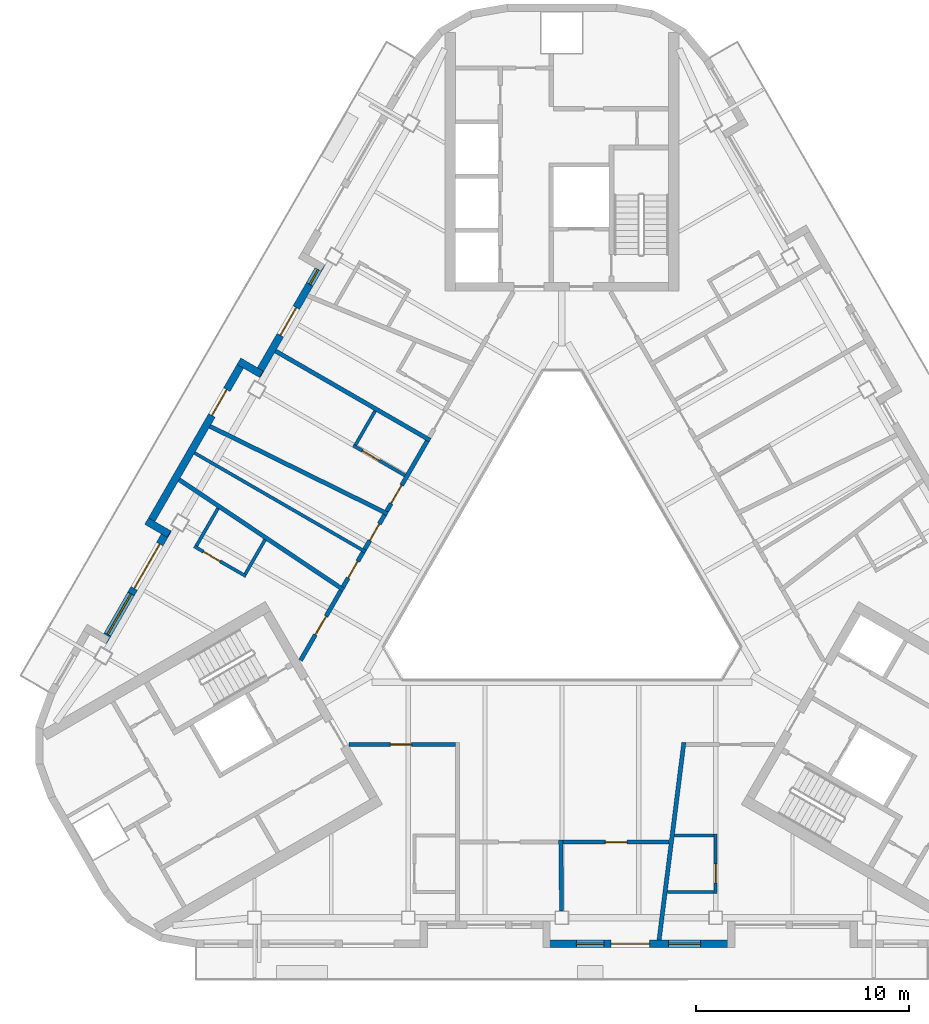
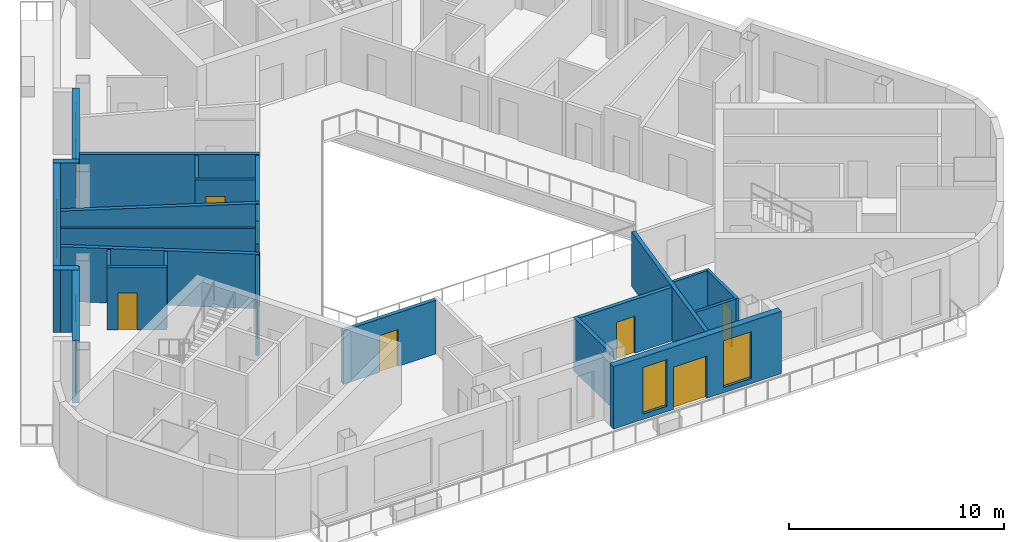
# One storey, part 4 of 13: 26 walls, 13 doors, 4 windows, 17 openings.
"""IFC4 building model written with IfcOpenShell, lengths in metres."""

import ifcopenshell
import ifcopenshell.guid

model = None  # the IFC model being written
_history = None  # IfcOwnerHistory: only IFC2X3 demands one
_inside = {}  # id of a spatial element -> (the spatial element, [elements in it])
_under = {}  # id of a project, library or spatial element -> (it, [spatial elements below it])
_declared = {}  # id of a project -> (the project, [libraries it declares])
_typed = {}  # id of a type object -> (the type object, [elements of that type])
_made_of = {}  # id of a material, layer set ... -> (it, [elements and type objects made of it])


def new_model(schema):
    """Start an empty IFC model of exactly this schema.

    Asked for "IFC4X3", IfcOpenShell would pick the latest addendum, in which some entities
    have other attributes; the version numbers below select the first issue.
    IFC2X3 requires an IfcOwnerHistory on every rooted entity: one is made here for all.
    """
    global model, _history
    if schema == "IFC4X3":
        model = ifcopenshell.file(schema_version=(4, 3, 0, 0))
    else:
        model = ifcopenshell.file(schema=schema)
    _inside.clear()
    _under.clear()
    _declared.clear()
    _typed.clear()
    _made_of.clear()
    _history = None
    if model.schema == "IFC2X3":
        org = make("IfcOrganization", Name="unknown")
        user = make(
            "IfcPersonAndOrganization",
            ThePerson=make("IfcPerson", FamilyName="unknown"),
            TheOrganization=org,
        )
        app = make(
            "IfcApplication",
            ApplicationDeveloper=org,
            Version="unknown",
            ApplicationFullName="unknown",
            ApplicationIdentifier="unknown",
        )
        _history = make(
            "IfcOwnerHistory",
            OwningUser=user,
            OwningApplication=app,
            ChangeAction="ADDED",
            CreationDate=0,
        )
    return model


def make(cls, **values):
    """One entity of the class cls with the attributes given. An attribute that is None is left unset."""
    return model.create_entity(
        cls, **{name: value for name, value in values.items() if value is not None}
    )


def rooted(cls, **values):
    """An entity with a GlobalId (a new one), such as an element, a storey or a relation."""
    return make(cls, GlobalId=ifcopenshell.guid.new(), OwnerHistory=_history, **values)


def si_unit(unit_type, name, prefix=None):
    """IfcSIUnit, for example si_unit("LENGTHUNIT", "METRE", prefix="MILLI")."""
    return make("IfcSIUnit", UnitType=unit_type, Prefix=prefix, Name=name)


def assignment(units):
    """IfcUnitAssignment: the units of a project."""
    return None if units is None else make("IfcUnitAssignment", Units=units)


def point(xyz):
    """IfcCartesianPoint."""
    return None if xyz is None else make("IfcCartesianPoint", Coordinates=xyz)


def direction(xyz):
    """IfcDirection."""
    return None if xyz is None else make("IfcDirection", DirectionRatios=xyz)


def frame(location, z_axis=None, x_axis=None):
    """IfcAxis2Placement3D, a coordinate frame: its origin and axes. An axis left out is left unset."""
    return make(
        "IfcAxis2Placement3D",
        Location=point(location),
        Axis=direction(z_axis),
        RefDirection=direction(x_axis),
    )


def frame_2d(location, x_axis=None):
    """IfcAxis2Placement2D, a coordinate frame in the plane: its origin and x axis."""
    return make(
        "IfcAxis2Placement2D", Location=point(location), RefDirection=direction(x_axis)
    )


def origin():
    """The frame at (0, 0, 0) with its axes left unset."""
    return frame((0.0, 0.0, 0.0))


def place(relative_to, where):
    """IfcLocalPlacement: puts the frame where relative to a parent placement (None: the world)."""
    return make(
        "IfcLocalPlacement", PlacementRelTo=relative_to, RelativePlacement=where
    )


def context(
    kind, dimensions, precision=None, world=None, true_north=None, identifier=None
):
    """IfcGeometricRepresentationContext, for example the 3D "Model" context."""
    return make(
        "IfcGeometricRepresentationContext",
        ContextIdentifier=identifier,
        ContextType=kind,
        CoordinateSpaceDimension=dimensions,
        Precision=precision,
        WorldCoordinateSystem=world,
        TrueNorth=true_north,
    )


def subcontext(parent, identifier, kind, view, scale=None):
    """IfcGeometricRepresentationSubContext, for example "Body" below "Model"."""
    return make(
        "IfcGeometricRepresentationSubContext",
        ContextIdentifier=identifier,
        ContextType=kind,
        ParentContext=parent,
        TargetScale=scale,
        TargetView=view,
    )


def project(units=None, contexts=None):
    """IfcProject with its units and contexts."""
    return rooted(
        "IfcProject",
        Name="project",
        RepresentationContexts=contexts,
        UnitsInContext=assignment(units),
    )


def spatial(cls, under=None, at=None, **own):
    """A site, building, storey or space (cls), placed at a placement, below another one or the project."""
    s = rooted(cls, ObjectPlacement=at, **own)
    if under is not None:
        _under.setdefault(under.id(), (under, []))[1].append(s)
    return s


def profile(cls, at=None, kind="AREA", **sizes):
    """A parametric profile (cls). Its sizes go by their IFC names, for example OverallWidth=200.0."""
    return make(cls, ProfileType=kind, Position=at, **sizes)


def rectangle(**sizes):
    """IfcRectangleProfileDef."""
    return profile("IfcRectangleProfileDef", **sizes)


def extrude(swept, where, along, depth):
    """IfcExtrudedAreaSolid: the profile swept, set in the frame where, extruded along a direction by depth."""
    return make(
        "IfcExtrudedAreaSolid",
        SweptArea=swept,
        Position=where,
        ExtrudedDirection=direction(along),
        Depth=depth,
    )


def shape(context_of_items, identifier, shape_type, items):
    """IfcShapeRepresentation: the items that make up one representation, for example the "Body"."""
    return make(
        "IfcShapeRepresentation",
        ContextOfItems=context_of_items,
        RepresentationIdentifier=identifier,
        RepresentationType=shape_type,
        Items=items,
    )


def material(Name=None, Category=None):
    """IfcMaterial."""
    return make("IfcMaterial", Name=Name, Category=Category)


def layer(
    of_material, thickness, ventilated=None, Name=None, Category=None, Priority=None
):
    """IfcMaterialLayer: one layer of a wall or slab, of a material (None: an air gap)."""
    return make(
        "IfcMaterialLayer",
        Material=of_material,
        LayerThickness=thickness,
        IsVentilated=ventilated,
        Name=Name,
        Category=Category,
        Priority=Priority,
    )


def layer_set(layers, Name=None):
    """IfcMaterialLayerSet."""
    return make("IfcMaterialLayerSet", MaterialLayers=layers, LayerSetName=Name)


def made_of(thing, what):
    """Note that an element or type object is made of a material, layer set ...; save() writes the relation."""
    if what is not None:
        _made_of.setdefault(what.id(), (what, []))[1].append(thing)
    return thing


def type_object(cls, material=None, **own):
    """A type object (cls), such as IfcWallType, which elements share."""
    return made_of(rooted(cls, **own), material)


def element(
    cls,
    number,
    at=None,
    inside=None,
    cuts=None,
    type_object=None,
    material=None,
    context=None,
    identifier="Body",
    shape_type=None,
    held_by="IfcProductDefinitionShape",
    body=None,
    shapes=None,
    **own,
):
    """One element of the class cls, such as IfcWall. Its Tag is "e" and its number.

    at: its placement. inside: the storey or other place that contains it. cuts: it is an
    opening in that element (IfcRelVoidsElement). A single representation is given by context,
    identifier, shape_type and body (its items); several are given by shapes. held_by: the class
    of the entity that holds the representations. save() writes the other relations.
    """
    e = rooted(cls, Tag="e%d" % number, ObjectPlacement=at, **own)
    if body is not None:
        shapes = [shape(context, identifier, shape_type, body)]
    if shapes is not None:
        e.Representation = make(held_by, Representations=shapes)
    if inside is not None:
        _inside.setdefault(inside.id(), (inside, []))[1].append(e)
    if cuts is not None:
        rooted(
            "IfcRelVoidsElement", RelatingBuildingElement=cuts, RelatedOpeningElement=e
        )
    if type_object is not None:
        _typed.setdefault(type_object.id(), (type_object, []))[1].append(e)
    return made_of(e, material)


def fill(opening, filler):
    """IfcRelFillsElement: the door or window that sits in an opening."""
    return rooted(
        "IfcRelFillsElement",
        RelatingOpeningElement=opening,
        RelatedBuildingElement=filler,
    )


def aggregate(whole, parts):
    """IfcRelAggregates: a whole, such as a stair, and the parts it consists of."""
    return rooted("IfcRelAggregates", RelatingObject=whole, RelatedObjects=parts)


def save(model, path):
    """Write the relations noted so far, then the file.

    IfcRelAggregates (storeys below a building ...), IfcRelContainedInSpatialStructure (elements
    in a storey), IfcRelDefinesByType, IfcRelAssociatesMaterial and IfcRelDeclares: one each for
    every whole, place, type object, material and project.
    """
    for whole, parts in _under.values():
        aggregate(whole, parts)
    for where, things in _inside.values():
        rooted(
            "IfcRelContainedInSpatialStructure",
            RelatedElements=things,
            RelatingStructure=where,
        )
    for kind, things in _typed.values():
        rooted("IfcRelDefinesByType", RelatedObjects=things, RelatingType=kind)
    for what, things in _made_of.values():
        rooted("IfcRelAssociatesMaterial", RelatedObjects=things, RelatingMaterial=what)
    for by, libraries in _declared.values():
        rooted("IfcRelDeclares", RelatingContext=by, RelatedDefinitions=libraries)
    model.write(path)


model = new_model("IFC4")

# Units and contexts
model_context = context("Model", 3, precision=1e-05, world=origin(), true_north=direction((0.0, 1.0)))
body_context = subcontext(model_context, "Body", "Model", "MODEL_VIEW")
ifc_project = project(units=[si_unit("LENGTHUNIT", "METRE"), si_unit("AREAUNIT", "SQUARE_METRE"), si_unit("VOLUMEUNIT", "CUBIC_METRE"), si_unit("PLANEANGLEUNIT", "RADIAN"), si_unit("MASSUNIT", "GRAM", prefix="KILO")], contexts=[model_context])

# Site, building, storey
site_placement = place(None, origin())
site = spatial("IfcSite", under=ifc_project, at=site_placement, CompositionType="ELEMENT")
building_placement = place(site_placement, origin())
building = spatial("IfcBuilding", under=site, at=building_placement, Name="Apuvela Tower Hotel", CompositionType="ELEMENT")
storey_placement = place(building_placement, frame((0.0, 0.0, 283.699951171875)))
storey = spatial("IfcBuildingStorey", under=building, at=storey_placement, Name="L70", CompositionType="ELEMENT", Elevation=283.699951171875)

# Wall, openings, door, window
ifc_material_1 = material(Name="Concrete C40/50, dark pigmented precast panel", Category="concrete")
ifc_layer_1 = layer(ifc_material_1, 0.35009765625)
ifc_layer_set_1 = layer_set([ifc_layer_1], Name="ENV-WALL-350")
wall_type_1 = type_object("IfcWallType", Name="ENV-WALL-350", PredefinedType="SOLIDWALL", material=ifc_layer_set_1)
wall_1_placement = place(storey_placement, frame((-11.278076171875, 14.17333984375, 0.0), z_axis=(0.0, 0.0, 1.0), x_axis=(-0.499985371027, -0.866033849661, 0.0)))
wall_1 = element("IfcWall", 1, at=wall_1_placement, inside=storey, type_object=wall_type_1, Name="External wall L70-03", PredefinedType="SOLIDWALL", context=body_context, shape_type="SweptSolid", body=[
    extrude(rectangle(XDim=6.055419921875, YDim=0.35009765625, at=frame_2d((3.02783203125, 0.0))), origin(), (0.0, 0.0, 1.0), 3.550048828125),
])
opening_1_placement = place(wall_1_placement, frame((0.320068359375, 0.0, 0.300048828125)))
opening_1 = element("IfcOpeningElement", 2, at=opening_1_placement, cuts=wall_1, Name="Opening WN08", PredefinedType="OPENING", context=body_context, shape_type="SweptSolid", body=[
    extrude(rectangle(XDim=0.800048828125, YDim=2.64990234375, at=frame_2d((0.39990234375, 1.324951171875))), frame((0.0, 0.18505859375, 0.0), z_axis=(0.0, -1.0, 0.0), x_axis=(1.0, 0.0, 0.0)), (0.0, 0.0, 1.0), 0.3701171875),
])
opening_2_placement = place(wall_1_placement, frame((2.38427734375, 0.0, 0.0)))
opening_2 = element("IfcOpeningElement", 3, at=opening_2_placement, cuts=wall_1, Name="Opening BD15", PredefinedType="OPENING", context=body_context, shape_type="SweptSolid", body=[
    extrude(rectangle(XDim=1.5, YDim=2.39990234375, at=frame_2d((0.75, 1.199951171875))), frame((0.0, 0.18505859375, 0.0), z_axis=(0.0, -1.0, 0.0), x_axis=(1.0, 0.0, 0.0)), (0.0, 0.0, 1.0), 0.3701171875),
])
ifc_material_2 = material(Name="Aluminium 6063-T6, dark bronze anodised frame with dark tinted laminated glass", Category="aluminium")
door_type_1 = type_object("IfcDoorType", Name="ENV-DOOR-BALCONY-1500x2400", OperationType="SLIDING_TO_LEFT", PredefinedType="DOOR", material=ifc_material_2)
door_1_placement = place(opening_2_placement, frame((1.5, 0.0, 0.0), z_axis=(0.0, 0.0, 1.0), x_axis=(-1.0, 0.0, 0.0)))
door_1 = element("IfcDoor", 4, at=door_1_placement, inside=storey, type_object=door_type_1, Name="Balcony door BD15", OperationType="SLIDING_TO_LEFT", OverallHeight=2.39990234375, OverallWidth=1.5, PredefinedType="DOOR", context=body_context, shape_type="SweptSolid", body=[
    extrude(rectangle(XDim=1.5, YDim=2.39990234375, at=frame_2d((0.75, 1.199951171875))), frame((0.0, 0.02490234375, 0.0), z_axis=(0.0, -1.0, 0.0), x_axis=(1.0, 0.0, 0.0)), (0.0, 0.0, 1.0), 0.050048828125),
])
fill(opening_2, door_1)
ifc_material_3 = material(Name="Glass, dark tinted laminated insulated glazing unit", Category="glass")
window_type_1 = type_object("IfcWindowType", Name="ENV-WIN-800x2650", PartitioningType="SINGLE_PANEL", PredefinedType="WINDOW", material=ifc_material_3)
window_1_placement = place(opening_1_placement, origin())
window_1 = element("IfcWindow", 5, at=window_1_placement, inside=storey, type_object=window_type_1, Name="Window WN08", OverallHeight=2.64990234375, OverallWidth=0.800048828125, PartitioningType="SINGLE_PANEL", PredefinedType="WINDOW", context=body_context, shape_type="SweptSolid", body=[
    extrude(rectangle(XDim=0.800048828125, YDim=2.64990234375, at=frame_2d((0.39990234375, 1.324951171875))), frame((0.0, 0.030029296875, 0.0), z_axis=(0.0, -1.0, 0.0), x_axis=(1.0, 0.0, 0.0)), (0.0, 0.0, 1.0), 0.06005859375),
])
fill(opening_1, window_1)

# Wall
wall_2_placement = place(storey_placement, frame((-14.107666015625, 8.982177734375, 0.0), z_axis=(0.0, 0.0, 1.0), x_axis=(-0.866005645448, 0.500034220881, 0.0)))
element("IfcWall", 6, at=wall_2_placement, inside=storey, type_object=wall_type_1, Name="External wall L70-04", PredefinedType="SOLIDWALL", context=body_context, shape_type="SweptSolid", body=[
    extrude(rectangle(XDim=1.22021484375, YDim=0.35009765625, at=frame_2d((0.610107421875, 0.0))), origin(), (0.0, 0.0, 1.0), 3.550048828125),
])

# Wall, opening, door
wall_3_placement = place(storey_placement, frame((-14.925048828125, 9.65625, 0.0), z_axis=(0.0, 0.0, 1.0), x_axis=(-0.500018599098, -0.866014665324, 0.0)))
wall_3 = element("IfcWall", 7, at=wall_3_placement, inside=storey, type_object=wall_type_1, Name="External wall L70-05", PredefinedType="SOLIDWALL", context=body_context, shape_type="SweptSolid", body=[
    extrude(rectangle(XDim=9.015380859375, YDim=0.35009765625, at=frame_2d((4.5078125, 0.0))), origin(), (0.0, 0.0, 1.0), 3.550048828125),
])
opening_3_placement = place(wall_3_placement, frame((1.612548828125, 0.0, 0.0)))
opening_3 = element("IfcOpeningElement", 8, at=opening_3_placement, cuts=wall_3, Name="Opening BD14", PredefinedType="OPENING", context=body_context, shape_type="SweptSolid", body=[
    extrude(rectangle(XDim=1.39990234375, YDim=2.39990234375, at=frame_2d((0.699951171875, 1.199951171875))), frame((0.0, 0.18505859375, 0.0), z_axis=(0.0, -1.0, 0.0), x_axis=(1.0, 0.0, 0.0)), (0.0, 0.0, 1.0), 0.3701171875),
])
door_type_2 = type_object("IfcDoorType", Name="ENV-DOOR-BALCONY-1400x2400", OperationType="SLIDING_TO_LEFT", PredefinedType="DOOR", material=ifc_material_2)
door_2_placement = place(opening_3_placement, frame((1.39990234375, 0.0, 0.0), z_axis=(0.0, 0.0, 1.0), x_axis=(-1.0, 0.0, 0.0)))
door_2 = element("IfcDoor", 9, at=door_2_placement, inside=storey, type_object=door_type_2, Name="Balcony door BD14", OperationType="SLIDING_TO_LEFT", OverallHeight=2.39990234375, OverallWidth=1.39990234375, PredefinedType="DOOR", context=body_context, shape_type="SweptSolid", body=[
    extrude(rectangle(XDim=1.39990234375, YDim=2.39990234375, at=frame_2d((0.699951171875, 1.199951171875))), frame((0.0, 0.02490234375, 0.0), z_axis=(0.0, -1.0, 0.0), x_axis=(1.0, 0.0, 0.0)), (0.0, 0.0, 1.0), 0.050048828125),
])
fill(opening_3, door_2)

# Wall
wall_4_placement = place(storey_placement, frame((-19.496826171875, 2.087890625, 0.0), z_axis=(0.0, 0.0, 1.0), x_axis=(0.866005645448, -0.500034220881, 0.0)))
element("IfcWall", 10, at=wall_4_placement, inside=storey, type_object=wall_type_1, Name="External wall L70-06", PredefinedType="SOLIDWALL", context=body_context, shape_type="SweptSolid", body=[
    extrude(rectangle(XDim=1.22021484375, YDim=0.35009765625, at=frame_2d((0.610107421875, 0.0))), origin(), (0.0, 0.0, 1.0), 3.550048828125),
])

# Wall, openings, door, window
wall_5_placement = place(storey_placement, frame((-18.493408203125, 1.676025390625, 0.0), z_axis=(0.0, 0.0, 1.0), x_axis=(-0.499985371027, -0.866033849661, 0.0)))
wall_5 = element("IfcWall", 11, at=wall_5_placement, inside=storey, type_object=wall_type_1, Name="External wall L70-07", PredefinedType="SOLIDWALL", context=body_context, shape_type="SweptSolid", body=[
    extrude(rectangle(XDim=6.055419921875, YDim=0.35009765625, at=frame_2d((3.02783203125, 0.0))), origin(), (0.0, 0.0, 1.0), 3.550048828125),
])
opening_4_placement = place(wall_5_placement, frame((0.77001953125, 0.0, 0.0)))
opening_4 = element("IfcOpeningElement", 12, at=opening_4_placement, cuts=wall_5, Name="Opening BD24", PredefinedType="OPENING", context=body_context, shape_type="SweptSolid", body=[
    extrude(rectangle(XDim=2.39990234375, YDim=2.39990234375, at=frame_2d((1.199951171875, 1.199951171875))), frame((0.0, 0.18505859375, 0.0), z_axis=(0.0, -1.0, 0.0), x_axis=(1.0, 0.0, 0.0)), (0.0, 0.0, 1.0), 0.3701171875),
])
opening_5_placement = place(wall_5_placement, frame((3.47021484375, 0.0, 0.300048828125)))
opening_5 = element("IfcOpeningElement", 13, at=opening_5_placement, cuts=wall_5, Name="Opening WN22", PredefinedType="OPENING", context=body_context, shape_type="SweptSolid", body=[
    extrude(rectangle(XDim=2.199951171875, YDim=2.64990234375, at=frame_2d((1.10009765625, 1.324951171875))), frame((0.0, 0.18505859375, 0.0), z_axis=(0.0, -1.0, 0.0), x_axis=(1.0, 0.0, 0.0)), (0.0, 0.0, 1.0), 0.3701171875),
])
door_type_3 = type_object("IfcDoorType", Name="ENV-DOOR-BALCONY-2400x2400", OperationType="SLIDING_TO_LEFT", PredefinedType="DOOR", material=ifc_material_2)
door_3_placement = place(opening_4_placement, frame((2.39990234375, 0.0, 0.0), z_axis=(0.0, 0.0, 1.0), x_axis=(-1.0, 0.0, 0.0)))
door_3 = element("IfcDoor", 14, at=door_3_placement, inside=storey, type_object=door_type_3, Name="Balcony door BD24", OperationType="SLIDING_TO_LEFT", OverallHeight=2.39990234375, OverallWidth=2.39990234375, PredefinedType="DOOR", context=body_context, shape_type="SweptSolid", body=[
    extrude(rectangle(XDim=2.39990234375, YDim=2.39990234375, at=frame_2d((1.199951171875, 1.199951171875))), frame((0.0, 0.02490234375, 0.0), z_axis=(0.0, -1.0, 0.0), x_axis=(1.0, 0.0, 0.0)), (0.0, 0.0, 1.0), 0.050048828125),
])
fill(opening_4, door_3)
window_type_2 = type_object("IfcWindowType", Name="ENV-WIN-2200x2650", PartitioningType="SINGLE_PANEL", PredefinedType="WINDOW", material=ifc_material_3)
window_2_placement = place(opening_5_placement, origin())
window_2 = element("IfcWindow", 15, at=window_2_placement, inside=storey, type_object=window_type_2, Name="Window WN22", OverallHeight=2.64990234375, OverallWidth=2.199951171875, PartitioningType="SINGLE_PANEL", PredefinedType="WINDOW", context=body_context, shape_type="SweptSolid", body=[
    extrude(rectangle(XDim=2.199951171875, YDim=2.64990234375, at=frame_2d((1.10009765625, 1.324951171875))), frame((0.0, 0.030029296875, 0.0), z_axis=(0.0, -1.0, 0.0), x_axis=(1.0, 0.0, 0.0)), (0.0, 0.0, 1.0), 0.06005859375),
])
fill(opening_5, window_2)

# Wall, openings, door, windows
wall_6_placement = place(storey_placement, frame((-0.89990234375, -17.753662109375, 0.0), z_axis=(0.0, 0.0, 1.0), x_axis=(1.0, 0.0, 0.0)))
wall_6 = element("IfcWall", 16, at=wall_6_placement, inside=storey, type_object=wall_type_1, Name="External wall L70-21", PredefinedType="SOLIDWALL", context=body_context, shape_type="SweptSolid", body=[
    extrude(rectangle(XDim=9.015380859375, YDim=0.35009765625, at=frame_2d((4.5078125, 0.0))), origin(), (0.0, 0.0, 1.0), 3.550048828125),
])
opening_6_placement = place(wall_6_placement, frame((3.2109375, 0.0, 0.0)))
opening_6 = element("IfcOpeningElement", 17, at=opening_6_placement, cuts=wall_6, Name="Opening BD18", PredefinedType="OPENING", context=body_context, shape_type="SweptSolid", body=[
    extrude(rectangle(XDim=1.800048828125, YDim=2.39990234375, at=frame_2d((0.89990234375, 1.199951171875))), frame((0.0, 0.18505859375, 0.0), z_axis=(0.0, -1.0, 0.0), x_axis=(1.0, 0.0, 0.0)), (0.0, 0.0, 1.0), 0.3701171875),
])
opening_7_placement = place(wall_6_placement, frame((1.5751953125, 0.0, 0.300048828125)))
opening_7 = element("IfcOpeningElement", 18, at=opening_7_placement, cuts=wall_6, Name="Opening WN13", PredefinedType="OPENING", context=body_context, shape_type="SweptSolid", body=[
    extrude(rectangle(XDim=1.300048828125, YDim=2.64990234375, at=frame_2d((0.64990234375, 1.324951171875))), frame((0.0, 0.18505859375, 0.0), z_axis=(0.0, -1.0, 0.0), x_axis=(1.0, 0.0, 0.0)), (0.0, 0.0, 1.0), 0.3701171875),
])
opening_8_placement = place(wall_6_placement, frame((5.9111328125, 0.0, 0.300048828125)))
opening_8 = element("IfcOpeningElement", 19, at=opening_8_placement, cuts=wall_6, Name="Opening WN15", PredefinedType="OPENING", context=body_context, shape_type="SweptSolid", body=[
    extrude(rectangle(XDim=1.5, YDim=2.64990234375, at=frame_2d((0.75, 1.324951171875))), frame((0.0, 0.18505859375, 0.0), z_axis=(0.0, -1.0, 0.0), x_axis=(1.0, 0.0, 0.0)), (0.0, 0.0, 1.0), 0.3701171875),
])
door_type_4 = type_object("IfcDoorType", Name="ENV-DOOR-BALCONY-1800x2400", OperationType="SLIDING_TO_LEFT", PredefinedType="DOOR", material=ifc_material_2)
door_4_placement = place(opening_6_placement, frame((1.800048828125, 0.0, 0.0), z_axis=(0.0, 0.0, 1.0), x_axis=(-1.0, 0.0, 0.0)))
door_4 = element("IfcDoor", 20, at=door_4_placement, inside=storey, type_object=door_type_4, Name="Balcony door BD18", OperationType="SLIDING_TO_LEFT", OverallHeight=2.39990234375, OverallWidth=1.800048828125, PredefinedType="DOOR", context=body_context, shape_type="SweptSolid", body=[
    extrude(rectangle(XDim=1.800048828125, YDim=2.39990234375, at=frame_2d((0.89990234375, 1.199951171875))), frame((0.0, 0.02490234375, 0.0), z_axis=(0.0, -1.0, 0.0), x_axis=(1.0, 0.0, 0.0)), (0.0, 0.0, 1.0), 0.050048828125),
])
fill(opening_6, door_4)
window_type_3 = type_object("IfcWindowType", Name="ENV-WIN-1300x2650", PartitioningType="SINGLE_PANEL", PredefinedType="WINDOW", material=ifc_material_3)
window_3_placement = place(opening_7_placement, origin())
window_3 = element("IfcWindow", 21, at=window_3_placement, inside=storey, type_object=window_type_3, Name="Window WN13", OverallHeight=2.64990234375, OverallWidth=1.300048828125, PartitioningType="SINGLE_PANEL", PredefinedType="WINDOW", context=body_context, shape_type="SweptSolid", body=[
    extrude(rectangle(XDim=1.300048828125, YDim=2.64990234375, at=frame_2d((0.64990234375, 1.324951171875))), frame((0.0, 0.030029296875, 0.0), z_axis=(0.0, -1.0, 0.0), x_axis=(1.0, 0.0, 0.0)), (0.0, 0.0, 1.0), 0.06005859375),
])
fill(opening_7, window_3)
window_type_4 = type_object("IfcWindowType", Name="ENV-WIN-1500x2650", PartitioningType="SINGLE_PANEL", PredefinedType="WINDOW", material=ifc_material_3)
window_4_placement = place(opening_8_placement, origin())
window_4 = element("IfcWindow", 22, at=window_4_placement, inside=storey, type_object=window_type_4, Name="Window WN15", OverallHeight=2.64990234375, OverallWidth=1.5, PartitioningType="SINGLE_PANEL", PredefinedType="WINDOW", context=body_context, shape_type="SweptSolid", body=[
    extrude(rectangle(XDim=1.5, YDim=2.64990234375, at=frame_2d((0.75, 1.324951171875))), frame((0.0, 0.030029296875, 0.0), z_axis=(0.0, -1.0, 0.0), x_axis=(1.0, 0.0, 0.0)), (0.0, 0.0, 1.0), 0.06005859375),
])
fill(opening_8, window_4)

# Walls
ifc_material_4 = material(Name="Gypsum board partition on twin steel stud", Category="steel")
ifc_layer_2 = layer(ifc_material_4, 0.199951171875)
ifc_layer_set_2 = layer_set([ifc_layer_2], Name="GST-PW1")
wall_type_2 = type_object("IfcWallType", Name="GST-PW1", PredefinedType="PARTITIONING", material=ifc_layer_set_2)
wall_7_placement = place(storey_placement, frame((-0.01513671875, -16.20361328125, 0.0), z_axis=(0.0, 0.0, 1.0), x_axis=(-0.011013356537, 0.99993935115, 0.0)))
element("IfcWall", 23, at=wall_7_placement, inside=storey, type_object=wall_type_2, Name="L70 partition 02", PredefinedType="PARTITIONING", context=body_context, shape_type="SweptSolid", body=[
    extrude(rectangle(XDim=3.3251953125, YDim=0.199951171875, at=frame_2d((1.66259765625, 0.0))), origin(), (0.0, 0.0, 1.0), 3.050048828125),
])
wall_8_placement = place(storey_placement, frame((4.56005859375, -17.57861328125, 0.0), z_axis=(0.0, 0.0, 1.0), x_axis=(0.124584174438, 0.992209042228, 0.0)))
element("IfcWall", 24, at=wall_8_placement, inside=storey, type_object=wall_type_2, Name="L70 partition 03", PredefinedType="PARTITIONING", context=body_context, shape_type="SweptSolid", body=[
    extrude(rectangle(XDim=9.351318359375, YDim=0.199951171875, at=frame_2d((4.67578125, 0.0))), origin(), (0.0, 0.0, 1.0), 3.10009765625),
])
wall_9_placement = place(storey_placement, frame((-13.444091796875, 10.0712890625, 0.0), z_axis=(0.0, 0.0, 1.0), x_axis=(0.866030795796, -0.499990660646, 0.0)))
element("IfcWall", 25, at=wall_9_placement, inside=storey, type_object=wall_type_2, Name="L70 partition 09", PredefinedType="PARTITIONING", context=body_context, shape_type="SweptSolid", body=[
    extrude(rectangle(XDim=8.378662109375, YDim=0.199951171875, at=frame_2d((4.189453125, 0.0))), origin(), (0.0, 0.0, 1.0), 3.10009765625),
])
wall_10_placement = place(storey_placement, frame((-16.523681640625, 6.53759765625, 0.0), z_axis=(0.0, 0.0, 1.0), x_axis=(0.897120251728, -0.441786434762, 0.0)))
element("IfcWall", 26, at=wall_10_placement, inside=storey, type_object=wall_type_2, Name="L70 partition 10", PredefinedType="PARTITIONING", context=body_context, shape_type="SweptSolid", body=[
    extrude(rectangle(XDim=9.299072265625, YDim=0.199951171875, at=frame_2d((4.6494140625, 0.0))), origin(), (0.0, 0.0, 1.0), 3.10009765625),
])
wall_11_placement = place(storey_placement, frame((-17.968505859375, 4.034912109375, 0.0), z_axis=(0.0, 0.0, 1.0), x_axis=(0.830560992963, -0.556927676604, 0.0)))
element("IfcWall", 27, at=wall_11_placement, inside=storey, type_object=wall_type_2, Name="L70 partition 11", PredefinedType="PARTITIONING", context=body_context, shape_type="SweptSolid", body=[
    extrude(rectangle(XDim=9.299560546875, YDim=0.199951171875, at=frame_2d((4.64990234375, 0.0))), origin(), (0.0, 0.0, 1.0), 3.10009765625),
])

# Wall, opening, door
ifc_material_5 = material(Name="Gypsum board corridor wall on twin steel stud, acoustic", Category="steel")
ifc_layer_3 = layer(ifc_material_5, 0.199951171875)
ifc_layer_set_3 = layer_set([ifc_layer_3], Name="GST-PW2")
wall_type_3 = type_object("IfcWallType", Name="GST-PW2", PredefinedType="PARTITIONING", material=ifc_layer_set_3)
wall_12_placement = place(storey_placement, frame((-5.0, -8.39990234375, 0.0), z_axis=(0.0, 0.0, 1.0), x_axis=(-1.0, 0.0, 0.0)))
wall_12 = element("IfcWall", 28, at=wall_12_placement, inside=storey, type_object=wall_type_3, Name="L70 partition 12", PredefinedType="PARTITIONING", context=body_context, shape_type="SweptSolid", body=[
    extrude(rectangle(XDim=4.98828125, YDim=0.199951171875, at=frame_2d((2.494140625, 0.0))), origin(), (0.0, 0.0, 1.0), 3.050048828125),
])
opening_9_placement = place(wall_12_placement, frame((2.050048828125, 0.0, 0.0)))
opening_9 = element("IfcOpeningElement", 29, at=opening_9_placement, cuts=wall_12, Name="Opening GD28-02", PredefinedType="OPENING", context=body_context, shape_type="SweptSolid", body=[
    extrude(rectangle(XDim=1.0, YDim=2.10009765625, at=frame_2d((0.5, 1.050048828125))), frame((0.0, 0.10986328125, 0.0), z_axis=(0.0, -1.0, 0.0), x_axis=(1.0, 0.0, 0.0)), (0.0, 0.0, 1.0), 0.219970703125),
])
ifc_material_6 = material(Name="Timber door leaf in steel frame", Category="steel")
door_type_5 = type_object("IfcDoorType", Name="GST-D1", OperationType="NOTDEFINED", PredefinedType="DOOR", material=ifc_material_6)
door_5_placement = place(opening_9_placement, origin())
door_5 = element("IfcDoor", 30, at=door_5_placement, inside=storey, type_object=door_type_5, Name="Door L70-02", OperationType="SINGLE_SWING_LEFT", OverallHeight=2.10009765625, OverallWidth=1.0, PredefinedType="DOOR", context=body_context, shape_type="SweptSolid", body=[
    extrude(rectangle(XDim=1.0, YDim=2.10009765625, at=frame_2d((0.5, 1.050048828125))), frame((0.0, 0.02490234375, 0.0), z_axis=(0.0, -1.0, 0.0), x_axis=(1.0, 0.0, 0.0)), (0.0, 0.0, 1.0), 0.050048828125),
])
fill(opening_9, door_5)

wall_13_placement = place(storey_placement, frame((5.036865234375, -12.978759765625, 0.0), z_axis=(0.0, 0.0, 1.0), x_axis=(-1.0, 0.0, 0.0)))
wall_13 = element("IfcWall", 31, at=wall_13_placement, inside=storey, type_object=wall_type_3, Name="L70 partition 17", PredefinedType="PARTITIONING", context=body_context, shape_type="SweptSolid", body=[
    extrude(rectangle(XDim=4.987548828125, YDim=0.199951171875, at=frame_2d((2.49365234375, 0.0))), origin(), (0.0, 0.0, 1.0), 3.050048828125),
])
opening_10_placement = place(wall_13_placement, frame((1.99365234375, 0.0, 0.0)))
opening_10 = element("IfcOpeningElement", 32, at=opening_10_placement, cuts=wall_13, Name="Opening GD28-04", PredefinedType="OPENING", context=body_context, shape_type="SweptSolid", body=[
    extrude(rectangle(XDim=1.0, YDim=2.10009765625, at=frame_2d((0.5, 1.050048828125))), frame((0.0, 0.10986328125, 0.0), z_axis=(0.0, -1.0, 0.0), x_axis=(1.0, 0.0, 0.0)), (0.0, 0.0, 1.0), 0.219970703125),
])
door_6_placement = place(opening_10_placement, origin())
door_6 = element("IfcDoor", 33, at=door_6_placement, inside=storey, type_object=door_type_5, Name="Door L70-04", OperationType="SINGLE_SWING_LEFT", OverallHeight=2.10009765625, OverallWidth=1.0, PredefinedType="DOOR", context=body_context, shape_type="SweptSolid", body=[
    extrude(rectangle(XDim=1.0, YDim=2.10009765625, at=frame_2d((0.5, 1.050048828125))), frame((0.0, 0.02490234375, 0.0), z_axis=(0.0, -1.0, 0.0), x_axis=(1.0, 0.0, 0.0)), (0.0, 0.0, 1.0), 0.050048828125),
])
fill(opening_10, door_6)

wall_14_placement = place(storey_placement, frame((-8.22119140625, 2.560546875, 0.0), z_axis=(0.0, 0.0, 1.0), x_axis=(0.499988034227, 0.866032312117, 0.0)))
wall_14 = element("IfcWall", 34, at=wall_14_placement, inside=storey, type_object=wall_type_3, Name="L70 partition 46", PredefinedType="PARTITIONING", context=body_context, shape_type="SweptSolid", body=[
    extrude(rectangle(XDim=3.79296875, YDim=0.199951171875, at=frame_2d((1.896484375, 0.0))), origin(), (0.0, 0.0, 1.0), 3.050048828125),
])
opening_11_placement = place(wall_14_placement, frame((0.39990234375, 0.0, 0.0)))
opening_11 = element("IfcOpeningElement", 35, at=opening_11_placement, cuts=wall_14, Name="Opening GD28-22", PredefinedType="OPENING", context=body_context, shape_type="SweptSolid", body=[
    extrude(rectangle(XDim=1.0, YDim=2.10009765625, at=frame_2d((0.5, 1.050048828125))), frame((0.0, 0.10986328125, 0.0), z_axis=(0.0, -1.0, 0.0), x_axis=(1.0, 0.0, 0.0)), (0.0, 0.0, 1.0), 0.219970703125),
])
door_7_placement = place(opening_11_placement, origin())
door_7 = element("IfcDoor", 36, at=door_7_placement, inside=storey, type_object=door_type_5, Name="Door L70-22", OperationType="SINGLE_SWING_LEFT", OverallHeight=2.10009765625, OverallWidth=1.0, PredefinedType="DOOR", context=body_context, shape_type="SweptSolid", body=[
    extrude(rectangle(XDim=1.0, YDim=2.10009765625, at=frame_2d((0.5, 1.050048828125))), frame((0.0, 0.02490234375, 0.0), z_axis=(0.0, -1.0, 0.0), x_axis=(1.0, 0.0, 0.0)), (0.0, 0.0, 1.0), 0.050048828125),
])
fill(opening_11, door_7)

wall_15_placement = place(storey_placement, frame((-9.26220703125, 0.757568359375, 0.0), z_axis=(0.0, 0.0, 1.0), x_axis=(0.500074377092, 0.865982457891, 0.0)))
wall_15 = element("IfcWall", 37, at=wall_15_placement, inside=storey, type_object=wall_type_3, Name="L70 partition 50", PredefinedType="PARTITIONING", context=body_context, shape_type="SweptSolid", body=[
    extrude(rectangle(XDim=1.881591796875, YDim=0.199951171875, at=frame_2d((0.94091796875, 0.0))), origin(), (0.0, 0.0, 1.0), 3.050048828125),
])
opening_12_placement = place(wall_15_placement, frame((0.49072265625, 0.0, 0.0)))
opening_12 = element("IfcOpeningElement", 38, at=opening_12_placement, cuts=wall_15, Name="Opening GD28-23", PredefinedType="OPENING", context=body_context, shape_type="SweptSolid", body=[
    extrude(rectangle(XDim=0.89990234375, YDim=2.10009765625, at=frame_2d((0.449951171875, 1.050048828125))), frame((0.0, 0.10986328125, 0.0), z_axis=(0.0, -1.0, 0.0), x_axis=(1.0, 0.0, 0.0)), (0.0, 0.0, 1.0), 0.219970703125),
])
door_type_6 = type_object("IfcDoorType", Name="GST-D2", OperationType="NOTDEFINED", PredefinedType="DOOR", material=ifc_material_6)
door_8_placement = place(opening_12_placement, origin())
door_8 = element("IfcDoor", 39, at=door_8_placement, inside=storey, type_object=door_type_6, Name="Door L70-23", OperationType="SINGLE_SWING_LEFT", OverallHeight=2.10009765625, OverallWidth=0.89990234375, PredefinedType="DOOR", context=body_context, shape_type="SweptSolid", body=[
    extrude(rectangle(XDim=0.89990234375, YDim=2.10009765625, at=frame_2d((0.449951171875, 1.050048828125))), frame((0.0, 0.02490234375, 0.0), z_axis=(0.0, -1.0, 0.0), x_axis=(1.0, 0.0, 0.0)), (0.0, 0.0, 1.0), 0.050048828125),
])
fill(opening_12, door_8)

wall_16_placement = place(storey_placement, frame((-10.27783203125, -1.001708984375, 0.0), z_axis=(0.0, 0.0, 1.0), x_axis=(0.499977061294, 0.866038647048, 0.0)))
wall_16 = element("IfcWall", 40, at=wall_16_placement, inside=storey, type_object=wall_type_3, Name="L70 partition 51", PredefinedType="PARTITIONING", context=body_context, shape_type="SweptSolid", body=[
    extrude(rectangle(XDim=1.88134765625, YDim=0.199951171875, at=frame_2d((0.940673828125, 0.0))), origin(), (0.0, 0.0, 1.0), 3.550048828125),
])
opening_13_placement = place(wall_16_placement, frame((0.49072265625, 0.0, 0.0)))
opening_13 = element("IfcOpeningElement", 41, at=opening_13_placement, cuts=wall_16, Name="Opening GD28-24", PredefinedType="OPENING", context=body_context, shape_type="SweptSolid", body=[
    extrude(rectangle(XDim=0.89990234375, YDim=2.10009765625, at=frame_2d((0.449951171875, 1.050048828125))), frame((0.0, 0.10986328125, 0.0), z_axis=(0.0, -1.0, 0.0), x_axis=(1.0, 0.0, 0.0)), (0.0, 0.0, 1.0), 0.219970703125),
])
door_9_placement = place(opening_13_placement, origin())
door_9 = element("IfcDoor", 42, at=door_9_placement, inside=storey, type_object=door_type_6, Name="Door L70-24", OperationType="SINGLE_SWING_RIGHT", OverallHeight=2.10009765625, OverallWidth=0.89990234375, PredefinedType="DOOR", context=body_context, shape_type="SweptSolid", body=[
    extrude(rectangle(XDim=0.89990234375, YDim=2.10009765625, at=frame_2d((0.449951171875, 1.050048828125))), frame((0.0, 0.02490234375, 0.0), z_axis=(0.0, -1.0, 0.0), x_axis=(1.0, 0.0, 0.0)), (0.0, 0.0, 1.0), 0.050048828125),
])
fill(opening_13, door_9)

wall_17_placement = place(storey_placement, frame((-12.268798828125, -4.449951171875, 0.0), z_axis=(0.0, 0.0, 1.0), x_axis=(0.500000040646, 0.866025380318, 0.0)))
wall_17 = element("IfcWall", 43, at=wall_17_placement, inside=storey, type_object=wall_type_3, Name="L70 partition 52", PredefinedType="PARTITIONING", context=body_context, shape_type="SweptSolid", body=[
    extrude(rectangle(XDim=3.78125, YDim=0.199951171875, at=frame_2d((1.890625, 0.0))), origin(), (0.0, 0.0, 1.0), 3.050048828125),
])
opening_14_placement = place(wall_17_placement, frame((1.390625, 0.0, 0.0)))
opening_14 = element("IfcOpeningElement", 44, at=opening_14_placement, cuts=wall_17, Name="Opening GD28-26", PredefinedType="OPENING", context=body_context, shape_type="SweptSolid", body=[
    extrude(rectangle(XDim=1.0, YDim=2.10009765625, at=frame_2d((0.5, 1.050048828125))), frame((0.0, 0.10986328125, 0.0), z_axis=(0.0, -1.0, 0.0), x_axis=(1.0, 0.0, 0.0)), (0.0, 0.0, 1.0), 0.219970703125),
])
door_10_placement = place(opening_14_placement, origin())
door_10 = element("IfcDoor", 45, at=door_10_placement, inside=storey, type_object=door_type_5, Name="Door L70-26", OperationType="SINGLE_SWING_RIGHT", OverallHeight=2.10009765625, OverallWidth=1.0, PredefinedType="DOOR", context=body_context, shape_type="SweptSolid", body=[
    extrude(rectangle(XDim=1.0, YDim=2.10009765625, at=frame_2d((0.5, 1.050048828125))), frame((0.0, 0.02490234375, 0.0), z_axis=(0.0, -1.0, 0.0), x_axis=(1.0, 0.0, 0.0)), (0.0, 0.0, 1.0), 0.050048828125),
])
fill(opening_14, door_10)

ifc_material_7 = material(Name="Moisture-resistant gypsum board wet wall on steel stud", Category="steel")
ifc_layer_4 = layer(ifc_material_7, 0.14990234375)
ifc_layer_set_4 = layer_set([ifc_layer_4], Name="GST-PW3")
wall_type_4 = type_object("IfcWallType", Name="GST-PW3", PredefinedType="PARTITIONING", material=ifc_layer_set_4)
wall_18_placement = place(storey_placement, frame((7.2109375, -15.39990234375, 0.0), z_axis=(0.0, 0.0, 1.0), x_axis=(0.0, 1.0, 0.0)))
wall_18 = element("IfcWall", 46, at=wall_18_placement, inside=storey, type_object=wall_type_4, Name="L70 partition 19", PredefinedType="PARTITIONING", context=body_context, shape_type="SweptSolid", body=[
    extrude(rectangle(XDim=2.7998046875, YDim=0.14990234375, at=frame_2d((1.39990234375, 0.0))), origin(), (0.0, 0.0, 1.0), 3.050048828125),
])
opening_15_placement = place(wall_18_placement, frame((0.5, 0.0, 0.0)))
opening_15 = element("IfcOpeningElement", 47, at=opening_15_placement, cuts=wall_18, Name="Opening GD28-05", PredefinedType="OPENING", context=body_context, shape_type="SweptSolid", body=[
    extrude(rectangle(XDim=0.89990234375, YDim=2.10009765625, at=frame_2d((0.449951171875, 1.050048828125))), frame((0.0, 0.0849609375, 0.0), z_axis=(0.0, -1.0, 0.0), x_axis=(1.0, 0.0, 0.0)), (0.0, 0.0, 1.0), 0.169921875),
])
door_11_placement = place(opening_15_placement, origin())
door_11 = element("IfcDoor", 48, at=door_11_placement, inside=storey, type_object=door_type_6, Name="Door L70-05", OperationType="SINGLE_SWING_LEFT", OverallHeight=2.10009765625, OverallWidth=0.89990234375, PredefinedType="DOOR", context=body_context, shape_type="SweptSolid", body=[
    extrude(rectangle(XDim=0.89990234375, YDim=2.10009765625, at=frame_2d((0.449951171875, 1.050048828125))), frame((0.0, 0.02490234375, 0.0), z_axis=(0.0, -1.0, 0.0), x_axis=(1.0, 0.0, 0.0)), (0.0, 0.0, 1.0), 0.050048828125),
])
fill(opening_15, door_11)

# Walls
wall_19_placement = place(storey_placement, frame((4.94384765625, -15.324951171875, 0.0), z_axis=(0.0, 0.0, 1.0), x_axis=(1.0, 0.0, 0.0)))
element("IfcWall", 49, at=wall_19_placement, inside=storey, type_object=wall_type_4, Name="L70 partition 20", PredefinedType="PARTITIONING", context=body_context, shape_type="SweptSolid", body=[
    extrude(rectangle(XDim=2.192138671875, YDim=0.14990234375, at=frame_2d((1.09619140625, 0.0))), origin(), (0.0, 0.0, 1.0), 3.050048828125),
])
wall_20_placement = place(storey_placement, frame((5.276611328125, -12.675048828125, 0.0), z_axis=(0.0, 0.0, 1.0), x_axis=(1.0, 0.0, 0.0)))
element("IfcWall", 50, at=wall_20_placement, inside=storey, type_object=wall_type_4, Name="L70 partition 21", PredefinedType="PARTITIONING", context=body_context, shape_type="SweptSolid", body=[
    extrude(rectangle(XDim=1.859375, YDim=0.14990234375, at=frame_2d((0.9296875, 0.0))), origin(), (0.0, 0.0, 1.0), 3.050048828125),
])

# Wall, opening, door
wall_21_placement = place(storey_placement, frame((-9.795166015625, 5.63427734375, 0.0), z_axis=(0.0, 0.0, 1.0), x_axis=(0.866034573852, -0.49998411664, 0.0)))
wall_21 = element("IfcWall", 51, at=wall_21_placement, inside=storey, type_object=wall_type_4, Name="L70 partition 47", PredefinedType="PARTITIONING", context=body_context, shape_type="SweptSolid", body=[
    extrude(rectangle(XDim=2.7998046875, YDim=0.14990234375, at=frame_2d((1.39990234375, 0.0))), origin(), (0.0, 0.0, 1.0), 3.050048828125),
])
opening_16_placement = place(wall_21_placement, frame((0.5, 0.0, 0.0)))
opening_16 = element("IfcOpeningElement", 52, at=opening_16_placement, cuts=wall_21, Name="Opening GD28-21", PredefinedType="OPENING", context=body_context, shape_type="SweptSolid", body=[
    extrude(rectangle(XDim=0.89990234375, YDim=2.10009765625, at=frame_2d((0.449951171875, 1.050048828125))), frame((0.0, 0.0849609375, 0.0), z_axis=(0.0, -1.0, 0.0), x_axis=(1.0, 0.0, 0.0)), (0.0, 0.0, 1.0), 0.169921875),
])
door_12_placement = place(opening_16_placement, origin())
door_12 = element("IfcDoor", 53, at=door_12_placement, inside=storey, type_object=door_type_6, Name="Door L70-21", OperationType="SINGLE_SWING_LEFT", OverallHeight=2.10009765625, OverallWidth=0.89990234375, PredefinedType="DOOR", context=body_context, shape_type="SweptSolid", body=[
    extrude(rectangle(XDim=0.89990234375, YDim=2.10009765625, at=frame_2d((0.449951171875, 1.050048828125))), frame((0.0, 0.02490234375, 0.0), z_axis=(0.0, -1.0, 0.0), x_axis=(1.0, 0.0, 0.0)), (0.0, 0.0, 1.0), 0.050048828125),
])
fill(opening_16, door_12)

# Walls
wall_22_placement = place(storey_placement, frame((-8.77099609375, 7.2578125, 0.0), z_axis=(0.0, 0.0, 1.0), x_axis=(-0.50002820729, -0.866009117685, 0.0)))
element("IfcWall", 54, at=wall_22_placement, inside=storey, type_object=wall_type_4, Name="L70 partition 48", PredefinedType="PARTITIONING", context=body_context, shape_type="SweptSolid", body=[
    extrude(rectangle(XDim=1.84326171875, YDim=0.14990234375, at=frame_2d((0.921630859375, 0.0))), origin(), (0.0, 0.0, 1.0), 3.050048828125),
])
wall_23_placement = place(storey_placement, frame((-17.24609375, 5.286376953125, 0.0), z_axis=(0.0, 0.0, 1.0), x_axis=(0.865746766399, -0.500482303853, 0.0)))
element("IfcWall", 55, at=wall_23_placement, inside=storey, type_object=wall_type_4, Name="L70 partition 49", PredefinedType="PARTITIONING", context=body_context, shape_type="SweptSolid", body=[
    extrude(rectangle(XDim=9.278564453125, YDim=0.14990234375, at=frame_2d((4.63916015625, 0.0))), origin(), (0.0, 0.0, 1.0), 3.10009765625),
])

# Wall, opening, door
wall_24_placement = place(storey_placement, frame((-17.26171875, 0.90185546875, 0.0), z_axis=(0.0, 0.0, 1.0), x_axis=(0.866034573852, -0.49998411664, 0.0)))
wall_24 = element("IfcWall", 56, at=wall_24_placement, inside=storey, type_object=wall_type_4, Name="L70 partition 53", PredefinedType="PARTITIONING", context=body_context, shape_type="SweptSolid", body=[
    extrude(rectangle(XDim=2.7998046875, YDim=0.14990234375, at=frame_2d((1.39990234375, 0.0))), origin(), (0.0, 0.0, 1.0), 3.550048828125),
])
opening_17_placement = place(wall_24_placement, frame((0.5, 0.0, 0.0)))
opening_17 = element("IfcOpeningElement", 57, at=opening_17_placement, cuts=wall_24, Name="Opening GD28-25", PredefinedType="OPENING", context=body_context, shape_type="SweptSolid", body=[
    extrude(rectangle(XDim=0.89990234375, YDim=2.10009765625, at=frame_2d((0.449951171875, 1.050048828125))), frame((0.0, 0.0849609375, 0.0), z_axis=(0.0, -1.0, 0.0), x_axis=(1.0, 0.0, 0.0)), (0.0, 0.0, 1.0), 0.169921875),
])
door_13_placement = place(opening_17_placement, origin())
door_13 = element("IfcDoor", 58, at=door_13_placement, inside=storey, type_object=door_type_6, Name="Door L70-25", OperationType="SINGLE_SWING_LEFT", OverallHeight=2.10009765625, OverallWidth=0.89990234375, PredefinedType="DOOR", context=body_context, shape_type="SweptSolid", body=[
    extrude(rectangle(XDim=0.89990234375, YDim=2.10009765625, at=frame_2d((0.449951171875, 1.050048828125))), frame((0.0, 0.02490234375, 0.0), z_axis=(0.0, -1.0, 0.0), x_axis=(1.0, 0.0, 0.0)), (0.0, 0.0, 1.0), 0.050048828125),
])
fill(opening_17, door_13)

# Walls
wall_25_placement = place(storey_placement, frame((-16.142578125, 2.690185546875, 0.0), z_axis=(0.0, 0.0, 1.0), x_axis=(-0.500013496215, -0.866017611601, 0.0)))
element("IfcWall", 59, at=wall_25_placement, inside=storey, type_object=wall_type_4, Name="L70 partition 54", PredefinedType="PARTITIONING", context=body_context, shape_type="SweptSolid", body=[
    extrude(rectangle(XDim=2.033203125, YDim=0.14990234375, at=frame_2d((1.0166015625, 0.0))), origin(), (0.0, 0.0, 1.0), 3.050048828125),
])
wall_26_placement = place(storey_placement, frame((-13.936767578125, 1.2109375, 0.0), z_axis=(0.0, 0.0, 1.0), x_axis=(-0.500003477455, -0.866023396066, 0.0)))
element("IfcWall", 60, at=wall_26_placement, inside=storey, type_object=wall_type_4, Name="L70 partition 55", PredefinedType="PARTITIONING", context=body_context, shape_type="SweptSolid", body=[
    extrude(rectangle(XDim=1.85498046875, YDim=0.14990234375, at=frame_2d((0.927490234375, 0.0))), origin(), (0.0, 0.0, 1.0), 3.050048828125),
])

save(model, "model.ifc")
